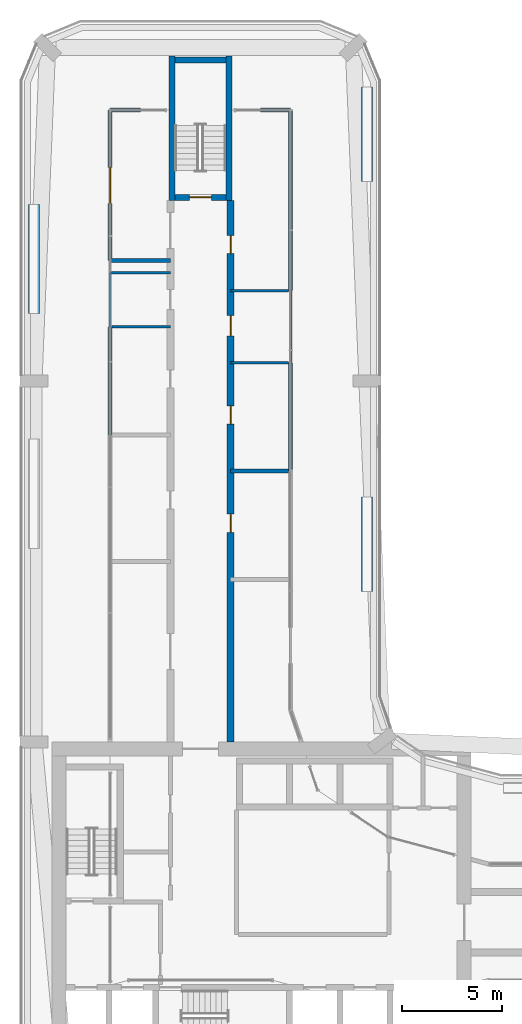
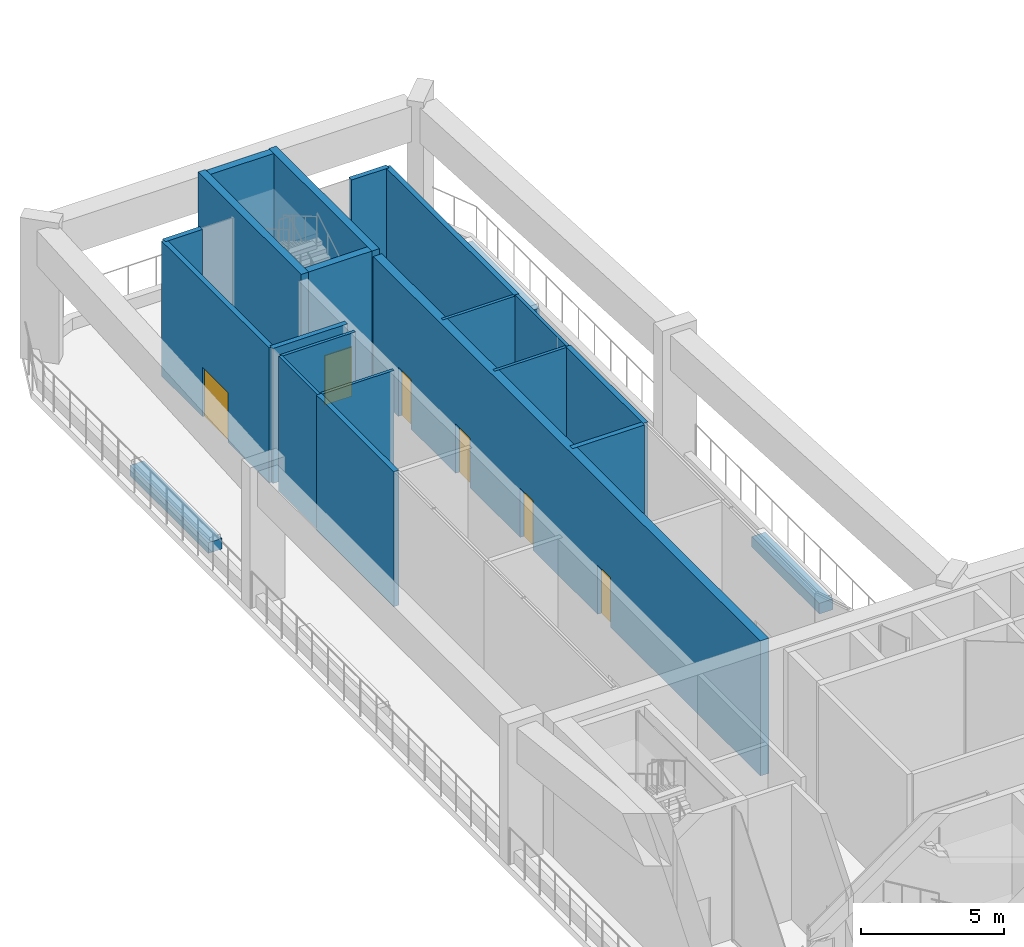
# One storey, part 16 of 24: 22 walls, 6 doors, 6 openings.
"""IFC4 building model written with IfcOpenShell, lengths in metres."""

from ifc_helpers import new_model, si_unit, direction, frame, frame_2d, origin, place, context, subcontext, project, spatial, rectangle, extrude, material, layer, layer_set, type_object, element, fill, save


model = new_model("IFC4")

# Units and contexts
model_context = context("Model", 3, precision=1e-05, world=origin(), true_north=direction((0.0, 1.0)))
body_context = subcontext(model_context, "Body", "Model", "MODEL_VIEW")
ifc_project = project(units=[si_unit("LENGTHUNIT", "METRE"), si_unit("AREAUNIT", "SQUARE_METRE"), si_unit("VOLUMEUNIT", "CUBIC_METRE"), si_unit("PLANEANGLEUNIT", "RADIAN"), si_unit("MASSUNIT", "GRAM", prefix="KILO")], contexts=[model_context])

# Site, building, storey
site_placement = place(None, origin())
site = spatial("IfcSite", under=ifc_project, at=site_placement, CompositionType="ELEMENT")
building_placement = place(site_placement, origin())
building = spatial("IfcBuilding", under=site, at=building_placement, Name="Plateau Cross Towers", CompositionType="ELEMENT")
storey_placement = place(building_placement, frame((0.0, 0.0, 72.300048828125)))
storey = spatial("IfcBuildingStorey", under=building, at=storey_placement, Name="L18", CompositionType="ELEMENT", Elevation=72.300048828125)

# Wall, openings, doors
ifc_material_1 = material(Name="Concrete C60/75", Category="concrete")
ifc_layer_1 = layer(ifc_material_1, 0.35009765625)
ifc_layer_set_1 = layer_set([ifc_layer_1], Name="Concrete C60/75")
wall_type_1 = type_object("IfcWallType", Name="Outrigger wall 350", PredefinedType="SHEAR", material=ifc_layer_set_1)
wall_1_placement = place(storey_placement, frame((10.5, 18.0, 0.0), z_axis=(0.0, 0.0, 1.0), x_axis=(0.0, 1.0, 0.0)))
wall_1 = element("IfcWall", 1, at=wall_1_placement, inside=storey, type_object=wall_type_1, Name="A-cw-W2@L18", PredefinedType="SHEAR", context=body_context, shape_type="SweptSolid", body=[
    extrude(rectangle(XDim=27.0, YDim=0.35009765625, at=frame_2d((13.5, 0.0))), origin(), (0.0, 0.0, 1.0), 5.75),
])
opening_1_placement = place(wall_1_placement, frame((10.449951171875, 0.0, 0.0)))
opening_1 = element("IfcOpeningElement", 2, at=opening_1_placement, cuts=wall_1, Name="Opening 18-10", PredefinedType="OPENING", context=body_context, shape_type="SweptSolid", body=[
    extrude(rectangle(XDim=0.89990234375, YDim=2.10009765625, at=frame_2d((0.449951171875, 1.050048828125))), frame((0.0, 0.18505859375, 0.0), z_axis=(0.0, -1.0, 0.0), x_axis=(1.0, 0.0, 0.0)), (0.0, 0.0, 1.0), 0.3701171875),
])
opening_2_placement = place(wall_1_placement, frame((15.85009765625, 0.0, 0.0)))
opening_2 = element("IfcOpeningElement", 3, at=opening_2_placement, cuts=wall_1, Name="Opening 18-11", PredefinedType="OPENING", context=body_context, shape_type="SweptSolid", body=[
    extrude(rectangle(XDim=0.89990234375, YDim=2.10009765625, at=frame_2d((0.449951171875, 1.050048828125))), frame((0.0, 0.18505859375, 0.0), z_axis=(0.0, -1.0, 0.0), x_axis=(1.0, 0.0, 0.0)), (0.0, 0.0, 1.0), 0.3701171875),
])
opening_3_placement = place(wall_1_placement, frame((20.25, 0.0, 0.0)))
opening_3 = element("IfcOpeningElement", 4, at=opening_3_placement, cuts=wall_1, Name="Opening 18-12", PredefinedType="OPENING", context=body_context, shape_type="SweptSolid", body=[
    extrude(rectangle(XDim=1.0, YDim=2.10009765625, at=frame_2d((0.5, 1.050048828125))), frame((0.0, 0.18505859375, 0.0), z_axis=(0.0, -1.0, 0.0), x_axis=(1.0, 0.0, 0.0)), (0.0, 0.0, 1.0), 0.3701171875),
])
opening_4_placement = place(wall_1_placement, frame((24.35009765625, 0.0, 0.0)))
opening_4 = element("IfcOpeningElement", 5, at=opening_4_placement, cuts=wall_1, Name="Opening 18-13", PredefinedType="OPENING", context=body_context, shape_type="SweptSolid", body=[
    extrude(rectangle(XDim=0.89990234375, YDim=2.10009765625, at=frame_2d((0.449951171875, 1.050048828125))), frame((0.0, 0.18505859375, 0.0), z_axis=(0.0, -1.0, 0.0), x_axis=(1.0, 0.0, 0.0)), (0.0, 0.0, 1.0), 0.3701171875),
])
ifc_material_2 = material(Name="Timber leaf", Category="wood")
door_type_1 = type_object("IfcDoorType", Name="Podium clinic door 1000", OperationType="NOTDEFINED", PredefinedType="DOOR", material=ifc_material_2)
door_1_placement = place(opening_3_placement, origin())
door_1 = element("IfcDoor", 6, at=door_1_placement, inside=storey, type_object=door_type_1, Name="Door 18-12", OperationType="SINGLE_SWING_RIGHT", OverallHeight=2.10009765625, OverallWidth=1.0, PredefinedType="DOOR", context=body_context, shape_type="SweptSolid", body=[
    extrude(rectangle(XDim=1.0, YDim=2.10009765625, at=frame_2d((0.5, 1.050048828125))), frame((0.0, 0.02490234375, 0.0), z_axis=(0.0, -1.0, 0.0), x_axis=(1.0, 0.0, 0.0)), (0.0, 0.0, 1.0), 0.050048828125),
])
fill(opening_3, door_1)
door_type_2 = type_object("IfcDoorType", Name="Podium room door 900", OperationType="NOTDEFINED", PredefinedType="DOOR", material=ifc_material_2)
door_2_placement = place(opening_1_placement, origin())
door_2 = element("IfcDoor", 7, at=door_2_placement, inside=storey, type_object=door_type_2, Name="Door 18-10", OperationType="SINGLE_SWING_LEFT", OverallHeight=2.10009765625, OverallWidth=0.89990234375, PredefinedType="DOOR", context=body_context, shape_type="SweptSolid", body=[
    extrude(rectangle(XDim=0.89990234375, YDim=2.10009765625, at=frame_2d((0.449951171875, 1.050048828125))), frame((0.0, 0.02490234375, 0.0), z_axis=(0.0, -1.0, 0.0), x_axis=(1.0, 0.0, 0.0)), (0.0, 0.0, 1.0), 0.050048828125),
])
fill(opening_1, door_2)
door_3_placement = place(opening_2_placement, origin())
door_3 = element("IfcDoor", 8, at=door_3_placement, inside=storey, type_object=door_type_2, Name="Door 18-11", OperationType="SINGLE_SWING_RIGHT", OverallHeight=2.10009765625, OverallWidth=0.89990234375, PredefinedType="DOOR", context=body_context, shape_type="SweptSolid", body=[
    extrude(rectangle(XDim=0.89990234375, YDim=2.10009765625, at=frame_2d((0.449951171875, 1.050048828125))), frame((0.0, 0.02490234375, 0.0), z_axis=(0.0, -1.0, 0.0), x_axis=(1.0, 0.0, 0.0)), (0.0, 0.0, 1.0), 0.050048828125),
])
fill(opening_2, door_3)
ifc_material_3 = material(Name="Timber, fire-resisting leaf", Category="wood")
door_type_3 = type_object("IfcDoorType", Name="Podium service door 900", OperationType="NOTDEFINED", PredefinedType="DOOR", material=ifc_material_3)
door_4_placement = place(opening_4_placement, origin())
door_4 = element("IfcDoor", 9, at=door_4_placement, inside=storey, type_object=door_type_3, Name="Door 18-13", OperationType="SINGLE_SWING_RIGHT", OverallHeight=2.10009765625, OverallWidth=0.89990234375, PredefinedType="DOOR", context=body_context, shape_type="SweptSolid", body=[
    extrude(rectangle(XDim=0.89990234375, YDim=2.10009765625, at=frame_2d((0.449951171875, 1.050048828125))), frame((0.0, 0.02490234375, 0.0), z_axis=(0.0, -1.0, 0.0), x_axis=(1.0, 0.0, 0.0)), (0.0, 0.0, 1.0), 0.050048828125),
])
fill(opening_4, door_4)

# Walls
ifc_material_4 = material(Name="Concrete C30/37", Category="concrete")
ifc_layer_2 = layer(ifc_material_4, 0.550048828125)
ifc_layer_set_2 = layer_set([ifc_layer_2], Name="Concrete C30/37")
wall_type_2 = type_object("IfcWallType", Name="Planter upstand 550", PredefinedType="STANDARD", material=ifc_layer_set_2)
wall_2_placement = place(storey_placement, frame((0.695068359375, 39.350341796875, 0.0), z_axis=(0.0, 0.0, 1.0), x_axis=(0.0, 1.0, 0.0)))
element("IfcWall", 10, at=wall_2_placement, inside=storey, type_object=wall_type_2, Name="Planter 2", PredefinedType="STANDARD", context=body_context, shape_type="SweptSolid", body=[
    extrude(rectangle(XDim=5.455810546875, YDim=0.550048828125, at=frame_2d((2.72802734375, 0.0))), origin(), (0.0, 0.0, 1.0), 0.449951171875),
])
wall_3_placement = place(storey_placement, frame((17.304931640625, 50.661865234375, 0.0), z_axis=(0.0, 0.0, 1.0), x_axis=(0.0, -1.0, 0.0)))
element("IfcWall", 11, at=wall_3_placement, inside=storey, type_object=wall_type_2, Name="Planter 3", PredefinedType="STANDARD", context=body_context, shape_type="SweptSolid", body=[
    extrude(rectangle(XDim=4.71240234375, YDim=0.550048828125, at=frame_2d((2.356201171875, 0.0))), origin(), (0.0, 0.0, 1.0), 0.449951171875),
])
wall_4_placement = place(storey_placement, frame((17.304931640625, 30.212158203125, 0.0), z_axis=(0.0, 0.0, 1.0), x_axis=(0.0, -1.0, 0.0)))
element("IfcWall", 12, at=wall_4_placement, inside=storey, type_object=wall_type_2, Name="Planter 4", PredefinedType="STANDARD", context=body_context, shape_type="SweptSolid", body=[
    extrude(rectangle(XDim=4.712158203125, YDim=0.550048828125, at=frame_2d((2.35595703125, 0.0))), origin(), (0.0, 0.0, 1.0), 0.449951171875),
])
ifc_material_5 = material(Name="Gypsum board on steel studs", Category="steel")
ifc_layer_3 = layer(ifc_material_5, 0.199951171875)
ifc_layer_set_3 = layer_set([ifc_layer_3], Name="Gypsum board on steel studs")
wall_type_3 = type_object("IfcWallType", Name="Podium partition 200", PredefinedType="PARTITIONING", material=ifc_layer_set_3)
wall_5_placement = place(storey_placement, frame((6.0, 49.5, 0.0), z_axis=(0.0, 0.0, 1.0), x_axis=(-1.0, 0.0, 0.0)))
element("IfcWall", 13, at=wall_5_placement, inside=storey, type_object=wall_type_3, Name="Partition wall", PredefinedType="PARTITIONING", context=body_context, shape_type="SweptSolid", body=[
    extrude(rectangle(XDim=1.5, YDim=0.199951171875, at=frame_2d((0.75, 0.0))), origin(), (0.0, 0.0, 1.0), 5.75),
])

# Wall, opening, door
wall_6_placement = place(storey_placement, frame((4.5, 49.5, 0.0), z_axis=(0.0, 0.0, 1.0), x_axis=(0.0, -1.0, 0.0)))
wall_6 = element("IfcWall", 14, at=wall_6_placement, inside=storey, type_object=wall_type_3, Name="Partition wall", PredefinedType="PARTITIONING", context=body_context, shape_type="SweptSolid", body=[
    extrude(rectangle(XDim=7.5, YDim=0.199951171875, at=frame_2d((3.75, 0.0))), origin(), (0.0, 0.0, 1.0), 5.75),
])
opening_5_placement = place(wall_6_placement, frame((2.85009765625, 0.0, 0.0)))
opening_5 = element("IfcOpeningElement", 15, at=opening_5_placement, cuts=wall_6, Name="Opening 18-16", PredefinedType="OPENING", context=body_context, shape_type="SweptSolid", body=[
    extrude(rectangle(XDim=1.800048828125, YDim=2.10009765625, at=frame_2d((0.89990234375, 1.050048828125))), frame((0.0, 0.10986328125, 0.0), z_axis=(0.0, -1.0, 0.0), x_axis=(1.0, 0.0, 0.0)), (0.0, 0.0, 1.0), 0.219970703125),
])
ifc_material_6 = material(Name="Aluminium frame, toughened glass", Category="aluminium")
door_type_4 = type_object("IfcDoorType", Name="Podium door pair 1800", OperationType="NOTDEFINED", PredefinedType="DOOR", material=ifc_material_6)
door_5_placement = place(opening_5_placement, origin())
door_5 = element("IfcDoor", 16, at=door_5_placement, inside=storey, type_object=door_type_4, Name="Door 18-16", OperationType="DOUBLE_DOOR_SINGLE_SWING", OverallHeight=2.10009765625, OverallWidth=1.800048828125, PredefinedType="DOOR", context=body_context, shape_type="SweptSolid", body=[
    extrude(rectangle(XDim=1.800048828125, YDim=2.10009765625, at=frame_2d((0.89990234375, 1.050048828125))), frame((0.0, 0.02490234375, 0.0), z_axis=(0.0, -1.0, 0.0), x_axis=(1.0, 0.0, 0.0)), (0.0, 0.0, 1.0), 0.050048828125),
])
fill(opening_5, door_5)

# Walls
wall_7_placement = place(storey_placement, frame((4.5, 42.0, 0.0), z_axis=(0.0, 0.0, 1.0), x_axis=(1.0, 0.0, 0.0)))
element("IfcWall", 17, at=wall_7_placement, inside=storey, type_object=wall_type_3, Name="Partition wall", PredefinedType="PARTITIONING", context=body_context, shape_type="SweptSolid", body=[
    extrude(rectangle(XDim=3.0, YDim=0.199951171875, at=frame_2d((1.5, 0.0))), origin(), (0.0, 0.0, 1.0), 5.75),
])
wall_8_placement = place(storey_placement, frame((13.5, 40.5, 0.0), z_axis=(0.0, 0.0, 1.0), x_axis=(0.0, 1.0, 0.0)))
element("IfcWall", 18, at=wall_8_placement, inside=storey, type_object=wall_type_3, Name="Partition wall", PredefinedType="PARTITIONING", context=body_context, shape_type="SweptSolid", body=[
    extrude(rectangle(XDim=9.0, YDim=0.199951171875, at=frame_2d((4.5, 0.0))), origin(), (0.0, 0.0, 1.0), 5.75),
])
wall_9_placement = place(storey_placement, frame((13.5, 49.5, 0.0), z_axis=(0.0, 0.0, 1.0), x_axis=(-1.0, 0.0, 0.0)))
element("IfcWall", 19, at=wall_9_placement, inside=storey, type_object=wall_type_3, Name="Partition wall", PredefinedType="PARTITIONING", context=body_context, shape_type="SweptSolid", body=[
    extrude(rectangle(XDim=1.5, YDim=0.199951171875, at=frame_2d((0.75, 0.0))), origin(), (0.0, 0.0, 1.0), 5.75),
])
for number, where, z_axis, x_axis, name in (
    (20, (4.5, 38.699951171875, 0.0), (0.0, 0.0, 1.0), (0.0, -1.0, 0.0), "Partition wall"),
    (21, (13.5, 31.5, 0.0), (0.0, 0.0, 1.0), (0.0, 1.0, 0.0), "Partition wall"),
):
    element("IfcWall", number, at=place(storey_placement, frame(where, z_axis=z_axis, x_axis=x_axis)), inside=storey, type_object=wall_type_3, Name=name, PredefinedType="PARTITIONING", context=body_context, shape_type="SweptSolid", body=[
        extrude(rectangle(XDim=5.39990234375, YDim=0.199951171875, at=frame_2d((2.699951171875, 0.0))), origin(), (0.0, 0.0, 1.0), 5.75),
    ])
wall_10_placement = place(storey_placement, frame((10.5, 31.5, 0.0), z_axis=(0.0, 0.0, 1.0), x_axis=(1.0, 0.0, 0.0)))
element("IfcWall", 22, at=wall_10_placement, inside=storey, type_object=wall_type_3, Name="Partition wall", PredefinedType="PARTITIONING", context=body_context, shape_type="SweptSolid", body=[
    extrude(rectangle(XDim=2.89990234375, YDim=0.199951171875, at=frame_2d((1.449951171875, 0.0))), origin(), (0.0, 0.0, 1.0), 5.75),
])
ifc_material_7 = material(Name="Moisture-resistant board on steel studs, tiled one side", Category="steel")
ifc_layer_4 = layer(ifc_material_7, 0.1201171875)
ifc_layer_set_4 = layer_set([ifc_layer_4], Name="Moisture-resistant board on steel studs, tiled one side")
wall_type_4 = type_object("IfcWallType", Name="Sanitary partition 120", PredefinedType="PARTITIONING", material=ifc_layer_set_4)
wall_11_placement = place(storey_placement, frame((7.5, 41.39990234375, 0.0), z_axis=(0.0, 0.0, 1.0), x_axis=(-1.0, 0.0, 0.0)))
element("IfcWall", 23, at=wall_11_placement, inside=storey, type_object=wall_type_4, Name="Partition wall", PredefinedType="PARTITIONING", context=body_context, shape_type="SweptSolid", body=[
    extrude(rectangle(XDim=3.0, YDim=0.1201171875, at=frame_2d((1.5, 0.0))), origin(), (0.0, 0.0, 1.0), 5.75),
])
wall_12_placement = place(storey_placement, frame((4.5, 41.39990234375, 0.0), z_axis=(0.0, 0.0, 1.0), x_axis=(0.0, -1.0, 0.0)))
element("IfcWall", 24, at=wall_12_placement, inside=storey, type_object=wall_type_4, Name="Partition wall", PredefinedType="PARTITIONING", context=body_context, shape_type="SweptSolid", body=[
    extrude(rectangle(XDim=2.699951171875, YDim=0.1201171875, at=frame_2d((1.35009765625, 0.0))), origin(), (0.0, 0.0, 1.0), 5.75),
])
wall_13_placement = place(storey_placement, frame((13.5, 36.89990234375, 0.0), z_axis=(0.0, 0.0, 1.0), x_axis=(0.0, 1.0, 0.0)))
element("IfcWall", 25, at=wall_13_placement, inside=storey, type_object=wall_type_4, Name="Partition wall", PredefinedType="PARTITIONING", context=body_context, shape_type="SweptSolid", body=[
    extrude(rectangle(XDim=3.60009765625, YDim=0.1201171875, at=frame_2d((1.800048828125, 0.0))), origin(), (0.0, 0.0, 1.0), 5.75),
])
for number, where, z_axis, x_axis, name in (
    (26, (4.60009765625, 38.699951171875, 0.0), (0.0, 0.0, 1.0), (1.0, 0.0, 0.0), "Partition wall"),
    (27, (10.5, 36.89990234375, 0.0), (0.0, 0.0, 1.0), (1.0, 0.0, 0.0), "Partition wall"),
    (28, (10.5, 40.5, 0.0), (0.0, 0.0, 1.0), (1.0, 0.0, 0.0), "Partition wall"),
):
    element("IfcWall", number, at=place(storey_placement, frame(where, z_axis=z_axis, x_axis=x_axis)), inside=storey, type_object=wall_type_4, Name=name, PredefinedType="PARTITIONING", context=body_context, shape_type="SweptSolid", body=[
        extrude(rectangle(XDim=2.89990234375, YDim=0.1201171875, at=frame_2d((1.449951171875, 0.0))), origin(), (0.0, 0.0, 1.0), 5.75),
    ])

# Wall, opening, door
ifc_layer_5 = layer(ifc_material_1, 0.300048828125)
ifc_layer_set_5 = layer_set([ifc_layer_5], Name="Concrete C60/75")
wall_type_5 = type_object("IfcWallType", Name="Stair tower wall 300", PredefinedType="SHEAR", material=ifc_layer_set_5)
wall_14_placement = place(storey_placement, frame((7.72509765625, 45.14990234375, 0.0), z_axis=(0.0, 0.0, 1.0), x_axis=(1.0, 0.0, 0.0)))
wall_14 = element("IfcWall", 29, at=wall_14_placement, inside=storey, type_object=wall_type_5, Name="A-end-N-S@L18", PredefinedType="SHEAR", context=body_context, shape_type="SweptSolid", body=[
    extrude(rectangle(XDim=2.5498046875, YDim=0.300048828125, at=frame_2d((1.27490234375, 0.0))), origin(), (0.0, 0.0, 1.0), 6.0),
])
opening_6_placement = place(wall_14_placement, frame((0.72509765625, 0.0, 0.0)))
opening_6 = element("IfcOpeningElement", 30, at=opening_6_placement, cuts=wall_14, Name="Opening SD", PredefinedType="OPENING", context=body_context, shape_type="SweptSolid", body=[
    extrude(rectangle(XDim=1.10009765625, YDim=2.10009765625, at=frame_2d((0.550048828125, 1.050048828125))), frame((0.0, 0.159912109375, 0.0), z_axis=(0.0, -1.0, 0.0), x_axis=(1.0, 0.0, 0.0)), (0.0, 0.0, 1.0), 0.320068359375),
])
ifc_material_8 = material(Name="Steel, fire-resisting leaf", Category="steel")
door_type_5 = type_object("IfcDoorType", Name="Stair door 1100", OperationType="NOTDEFINED", PredefinedType="DOOR", material=ifc_material_8)
door_6_placement = place(opening_6_placement, origin())
door_6 = element("IfcDoor", 31, at=door_6_placement, inside=storey, type_object=door_type_5, Name="Stair door SD", OperationType="SINGLE_SWING_LEFT", OverallHeight=2.10009765625, OverallWidth=1.10009765625, PredefinedType="DOOR", context=body_context, shape_type="SweptSolid", body=[
    extrude(rectangle(XDim=1.10009765625, YDim=2.10009765625, at=frame_2d((0.550048828125, 1.050048828125))), frame((0.0, 0.02490234375, 0.0), z_axis=(0.0, -1.0, 0.0), x_axis=(1.0, 0.0, 0.0)), (0.0, 0.0, 1.0), 0.050048828125),
])
fill(opening_6, door_6)

# Walls
wall_15_placement = place(storey_placement, frame((7.72509765625, 52.0, 0.0), z_axis=(0.0, 0.0, 1.0), x_axis=(1.0, 0.0, 0.0)))
element("IfcWall", 32, at=wall_15_placement, inside=storey, type_object=wall_type_5, Name="A-end-N-N@L18", PredefinedType="SHEAR", context=body_context, shape_type="SweptSolid", body=[
    extrude(rectangle(XDim=2.5498046875, YDim=0.300048828125, at=frame_2d((1.27490234375, 0.0))), origin(), (0.0, 0.0, 1.0), 6.0),
])
for number, where, z_axis, x_axis, name in (
    (33, (7.574951171875, 45.0, 0.0), (0.0, 0.0, 1.0), (0.0, 1.0, 0.0), "A-end-N-W@L18"),
    (34, (10.425048828125, 45.0, 0.0), (0.0, 0.0, 1.0), (0.0, 1.0, 0.0), "A-end-N-E@L18"),
):
    element("IfcWall", number, at=place(storey_placement, frame(where, z_axis=z_axis, x_axis=x_axis)), inside=storey, type_object=wall_type_5, Name=name, PredefinedType="SHEAR", context=body_context, shape_type="SweptSolid", body=[
        extrude(rectangle(XDim=7.199951171875, YDim=0.300048828125, at=frame_2d((3.60009765625, 0.0))), origin(), (0.0, 0.0, 1.0), 6.0),
    ])

save(model, "model.ifc")
